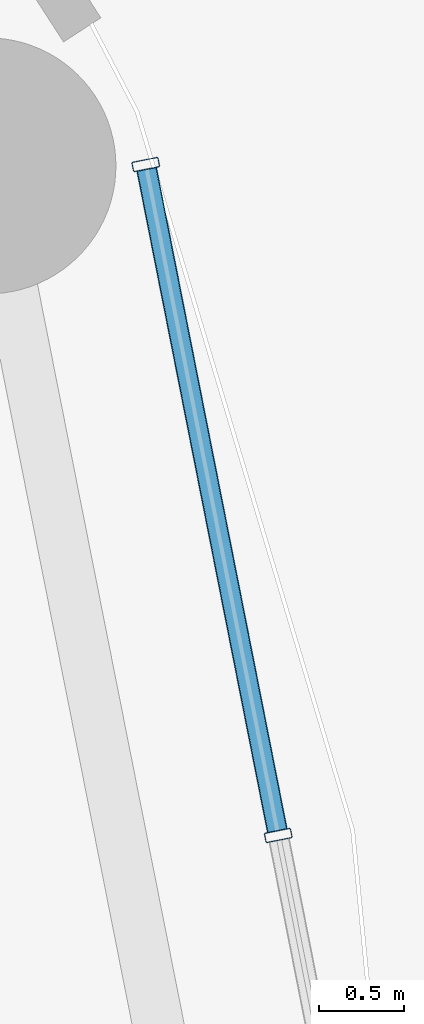
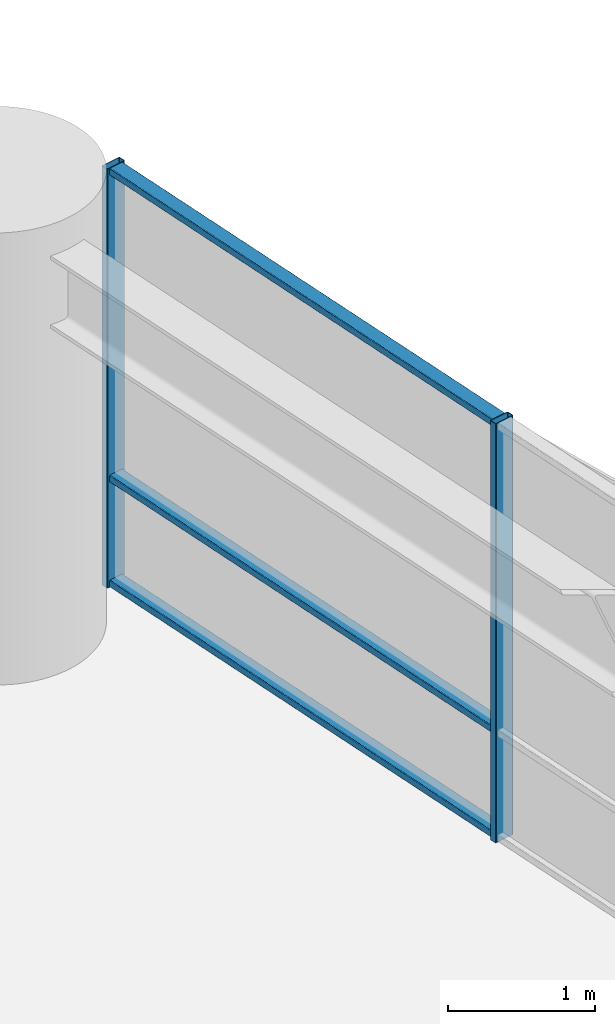
# One storey, part 20 of 32: 5 members, 1 element without a shape of its own.
"""IFC4 building model written with IfcOpenShell, lengths in metres."""

from ifc_helpers import new_model, si_unit, direction, frame, origin, origin_2d, place, context, subcontext, project, spatial, hollow_rectangle, extrude, material, layer, layer_set, material_profile, profile_set, type_object, element, aggregate, save


model = new_model("IFC4")

# Units and contexts
model_context = context("Model", 3, precision=1e-05, world=origin(), true_north=direction((0.0, 1.0)))
body_context = subcontext(model_context, "Body", "Model", "MODEL_VIEW")
ifc_project = project(units=[si_unit("LENGTHUNIT", "METRE"), si_unit("AREAUNIT", "SQUARE_METRE"), si_unit("VOLUMEUNIT", "CUBIC_METRE"), si_unit("PLANEANGLEUNIT", "RADIAN"), si_unit("MASSUNIT", "GRAM", prefix="KILO")], contexts=[model_context])

# Site, building, storey
site_placement = place(None, origin())
site = spatial("IfcSite", under=ifc_project, at=site_placement, CompositionType="ELEMENT")
building_placement = place(site_placement, origin())
building = spatial("IfcBuilding", under=site, at=building_placement, Name="Kelanora Arch Commons", CompositionType="ELEMENT")
storey_placement = place(building_placement, frame((0.0, 0.0, 56.25)))
storey = spatial("IfcBuildingStorey", under=building, at=storey_placement, Name="L14", CompositionType="ELEMENT", Elevation=56.25)

# Curtain wall, members
ifc_material_1 = material(Name="Terracotta ceramic-fritted low-E glass and aluminium", Category="masonry")
ifc_layer = layer(ifc_material_1, 0.159912109375)
ifc_layer_set = layer_set([ifc_layer], Name="Terracotta ceramic-fritted low-E glass and aluminium")
curtain_wall_type = type_object("IfcCurtainWallType", Name="CW-SYS-01", PredefinedType="NOTDEFINED", material=ifc_layer_set)
curtain_wall_placement = place(storey_placement, origin())
curtain_wall = element("IfcCurtainWall", 1, at=curtain_wall_placement, inside=storey, type_object=curtain_wall_type, Name="Unitised Curtain Wall L14-B00", PredefinedType="NOTDEFINED")
ifc_material_2 = material(Name="Powder-coated aluminium terracotta", Category="masonry")
ifc_material_profile_1 = material_profile(ifc_material_2, hollow_rectangle(XDim=0.159912109375, YDim=0.06005859375, WallThickness=0.0048828125, InnerFilletRadius=0.0048828125, OuterFilletRadius=0.010009765625, at=origin_2d()), Name="CWM160x60")
ifc_profile_set_1 = profile_set([ifc_material_profile_1], Name="Powder-coated aluminium terracotta")
member_type_1 = type_object("IfcMemberType", Name="CWM-STD", PredefinedType="MULLION", material=ifc_profile_set_1)
member_1_placement = place(storey_placement, frame((101.1484375, 62.3115234375, 0.0), z_axis=(0.0, 0.0, 1.0), x_axis=(-0.981052110579, -0.193744048498, 0.0)))
member_1 = element("IfcMember", 2, at=member_1_placement, type_object=member_type_1, Name="CW-01 mullion 2", PredefinedType="MULLION", context=body_context, shape_type="SweptSolid", body=[
    extrude(hollow_rectangle(XDim=0.159912109375, YDim=0.06005859375, WallThickness=0.0048828125, InnerFilletRadius=0.0048828125, OuterFilletRadius=0.010009765625, at=origin_2d()), origin(), (0.0, 0.0, 1.0), 3.47509765625),
])
member_2_placement = place(storey_placement, frame((100.371826171875, 66.243896484375, 0.0), z_axis=(0.0, 0.0, 1.0), x_axis=(-0.981052110579, -0.193744048498, 0.0)))
member_2 = element("IfcMember", 3, at=member_2_placement, type_object=member_type_1, Name="CW-01 mullion 3", PredefinedType="MULLION", context=body_context, shape_type="SweptSolid", body=[
    extrude(hollow_rectangle(XDim=0.159912109375, YDim=0.06005859375, WallThickness=0.0048828125, InnerFilletRadius=0.0048828125, OuterFilletRadius=0.010009765625, at=origin_2d()), origin(), (0.0, 0.0, 1.0), 3.47509765625),
])
ifc_material_profile_2 = material_profile(ifc_material_2, hollow_rectangle(XDim=0.1201171875, YDim=0.06005859375, WallThickness=0.0048828125, InnerFilletRadius=0.0048828125, OuterFilletRadius=0.010009765625, at=origin_2d()), Name="CWT120x60")
ifc_profile_set_2 = profile_set([ifc_material_profile_2], Name="Powder-coated aluminium terracotta")
member_type_2 = type_object("IfcMemberType", Name="CWT-STD", PredefinedType="USERDEFINED", material=ifc_profile_set_2)
member_3_placement = place(storey_placement, frame((101.142578125, 62.3408203125, 0.030029296875), z_axis=(-0.193725436624, 0.98105578598, 0.0), x_axis=(-0.98105578598, -0.193725436624, 0.0)))
member_3 = element("IfcMember", 4, at=member_3_placement, type_object=member_type_2, Name="CW-01 transom 2.1", ObjectType="TRANSOM", PredefinedType="USERDEFINED", context=body_context, shape_type="SweptSolid", body=[
    extrude(hollow_rectangle(XDim=0.1201171875, YDim=0.06005859375, WallThickness=0.0048828125, InnerFilletRadius=0.0048828125, OuterFilletRadius=0.010009765625, at=origin_2d()), origin(), (0.0, 0.0, 1.0), 3.9482421875),
])
member_4_placement = place(storey_placement, frame((101.142578125, 62.3408203125, 0.89990234375), z_axis=(-0.193725436624, 0.98105578598, 0.0), x_axis=(-0.98105578598, -0.193725436624, 0.0)))
member_4 = element("IfcMember", 5, at=member_4_placement, type_object=member_type_2, Name="CW-01 transom 2.2", ObjectType="TRANSOM", PredefinedType="USERDEFINED", context=body_context, shape_type="SweptSolid", body=[
    extrude(hollow_rectangle(XDim=0.1201171875, YDim=0.06005859375, WallThickness=0.0048828125, InnerFilletRadius=0.0048828125, OuterFilletRadius=0.010009765625, at=origin_2d()), origin(), (0.0, 0.0, 1.0), 3.9482421875),
])
member_5_placement = place(storey_placement, frame((101.142578125, 62.3408203125, 3.445068359375), z_axis=(-0.193725436624, 0.98105578598, 0.0), x_axis=(-0.98105578598, -0.193725436624, 0.0)))
member_5 = element("IfcMember", 6, at=member_5_placement, type_object=member_type_2, Name="CW-01 transom 2.3", ObjectType="TRANSOM", PredefinedType="USERDEFINED", context=body_context, shape_type="SweptSolid", body=[
    extrude(hollow_rectangle(XDim=0.1201171875, YDim=0.06005859375, WallThickness=0.0048828125, InnerFilletRadius=0.0048828125, OuterFilletRadius=0.010009765625, at=origin_2d()), origin(), (0.0, 0.0, 1.0), 3.9482421875),
])
aggregate(curtain_wall, [member_1, member_2, member_3, member_4, member_5])

save(model, "model.ifc")
